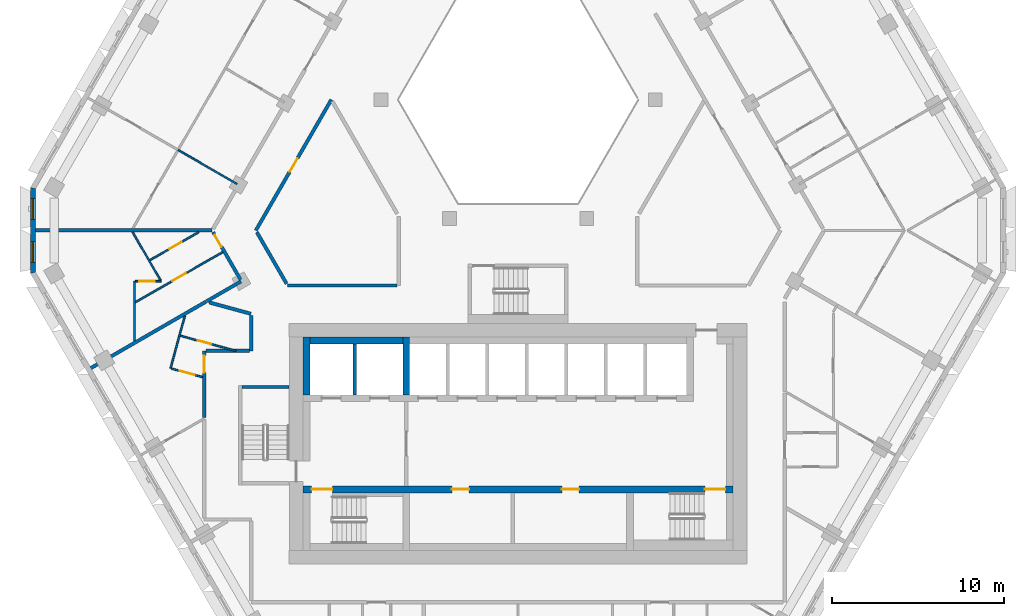
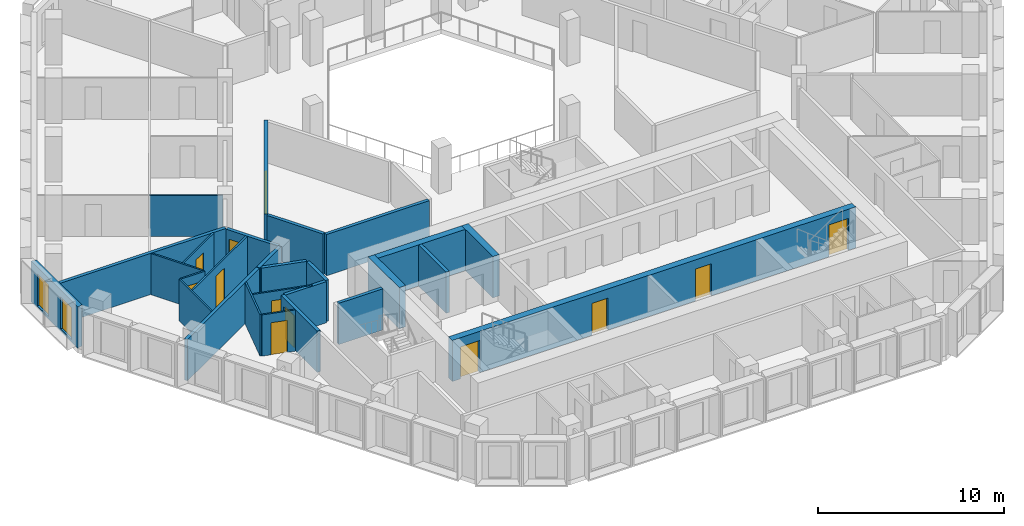
# One storey, part 4 of 17: 27 walls, 12 doors, 2 windows, 14 openings.
"""IFC4 building model written with IfcOpenShell, lengths in metres."""

import ifcopenshell
import ifcopenshell.guid

model = None  # the IFC model being written
_history = None  # IfcOwnerHistory: only IFC2X3 demands one
_inside = {}  # id of a spatial element -> (the spatial element, [elements in it])
_under = {}  # id of a project, library or spatial element -> (it, [spatial elements below it])
_declared = {}  # id of a project -> (the project, [libraries it declares])
_typed = {}  # id of a type object -> (the type object, [elements of that type])
_made_of = {}  # id of a material, layer set ... -> (it, [elements and type objects made of it])


def new_model(schema):
    """Start an empty IFC model of exactly this schema.

    Asked for "IFC4X3", IfcOpenShell would pick the latest addendum, in which some entities
    have other attributes; the version numbers below select the first issue.
    IFC2X3 requires an IfcOwnerHistory on every rooted entity: one is made here for all.
    """
    global model, _history
    if schema == "IFC4X3":
        model = ifcopenshell.file(schema_version=(4, 3, 0, 0))
    else:
        model = ifcopenshell.file(schema=schema)
    _inside.clear()
    _under.clear()
    _declared.clear()
    _typed.clear()
    _made_of.clear()
    _history = None
    if model.schema == "IFC2X3":
        org = make("IfcOrganization", Name="unknown")
        user = make(
            "IfcPersonAndOrganization",
            ThePerson=make("IfcPerson", FamilyName="unknown"),
            TheOrganization=org,
        )
        app = make(
            "IfcApplication",
            ApplicationDeveloper=org,
            Version="unknown",
            ApplicationFullName="unknown",
            ApplicationIdentifier="unknown",
        )
        _history = make(
            "IfcOwnerHistory",
            OwningUser=user,
            OwningApplication=app,
            ChangeAction="ADDED",
            CreationDate=0,
        )
    return model


def make(cls, **values):
    """One entity of the class cls with the attributes given. An attribute that is None is left unset."""
    return model.create_entity(
        cls, **{name: value for name, value in values.items() if value is not None}
    )


def rooted(cls, **values):
    """An entity with a GlobalId (a new one), such as an element, a storey or a relation."""
    return make(cls, GlobalId=ifcopenshell.guid.new(), OwnerHistory=_history, **values)


def si_unit(unit_type, name, prefix=None):
    """IfcSIUnit, for example si_unit("LENGTHUNIT", "METRE", prefix="MILLI")."""
    return make("IfcSIUnit", UnitType=unit_type, Prefix=prefix, Name=name)


def assignment(units):
    """IfcUnitAssignment: the units of a project."""
    return None if units is None else make("IfcUnitAssignment", Units=units)


def point(xyz):
    """IfcCartesianPoint."""
    return None if xyz is None else make("IfcCartesianPoint", Coordinates=xyz)


def direction(xyz):
    """IfcDirection."""
    return None if xyz is None else make("IfcDirection", DirectionRatios=xyz)


def frame(location, z_axis=None, x_axis=None):
    """IfcAxis2Placement3D, a coordinate frame: its origin and axes. An axis left out is left unset."""
    return make(
        "IfcAxis2Placement3D",
        Location=point(location),
        Axis=direction(z_axis),
        RefDirection=direction(x_axis),
    )


def frame_2d(location, x_axis=None):
    """IfcAxis2Placement2D, a coordinate frame in the plane: its origin and x axis."""
    return make(
        "IfcAxis2Placement2D", Location=point(location), RefDirection=direction(x_axis)
    )


def origin():
    """The frame at (0, 0, 0) with its axes left unset."""
    return frame((0.0, 0.0, 0.0))


def place(relative_to, where):
    """IfcLocalPlacement: puts the frame where relative to a parent placement (None: the world)."""
    return make(
        "IfcLocalPlacement", PlacementRelTo=relative_to, RelativePlacement=where
    )


def context(
    kind, dimensions, precision=None, world=None, true_north=None, identifier=None
):
    """IfcGeometricRepresentationContext, for example the 3D "Model" context."""
    return make(
        "IfcGeometricRepresentationContext",
        ContextIdentifier=identifier,
        ContextType=kind,
        CoordinateSpaceDimension=dimensions,
        Precision=precision,
        WorldCoordinateSystem=world,
        TrueNorth=true_north,
    )


def subcontext(parent, identifier, kind, view, scale=None):
    """IfcGeometricRepresentationSubContext, for example "Body" below "Model"."""
    return make(
        "IfcGeometricRepresentationSubContext",
        ContextIdentifier=identifier,
        ContextType=kind,
        ParentContext=parent,
        TargetScale=scale,
        TargetView=view,
    )


def project(units=None, contexts=None):
    """IfcProject with its units and contexts."""
    return rooted(
        "IfcProject",
        Name="project",
        RepresentationContexts=contexts,
        UnitsInContext=assignment(units),
    )


def spatial(cls, under=None, at=None, **own):
    """A site, building, storey or space (cls), placed at a placement, below another one or the project."""
    s = rooted(cls, ObjectPlacement=at, **own)
    if under is not None:
        _under.setdefault(under.id(), (under, []))[1].append(s)
    return s


def polyline(points):
    """IfcPolyline through the points."""
    return make("IfcPolyline", Points=[point(p) for p in points])


def profile(cls, at=None, kind="AREA", **sizes):
    """A parametric profile (cls). Its sizes go by their IFC names, for example OverallWidth=200.0."""
    return make(cls, ProfileType=kind, Position=at, **sizes)


def rectangle(**sizes):
    """IfcRectangleProfileDef."""
    return profile("IfcRectangleProfileDef", **sizes)


def outline(outer, holes=None, kind="AREA"):
    """IfcArbitraryClosedProfileDef: a profile drawn as a closed curve; with holes, ...WithVoids."""
    if holes is None:
        return make("IfcArbitraryClosedProfileDef", ProfileType=kind, OuterCurve=outer)
    return make(
        "IfcArbitraryProfileDefWithVoids",
        ProfileType=kind,
        OuterCurve=outer,
        InnerCurves=holes,
    )


def extrude(swept, where, along, depth):
    """IfcExtrudedAreaSolid: the profile swept, set in the frame where, extruded along a direction by depth."""
    return make(
        "IfcExtrudedAreaSolid",
        SweptArea=swept,
        Position=where,
        ExtrudedDirection=direction(along),
        Depth=depth,
    )


def shape(context_of_items, identifier, shape_type, items):
    """IfcShapeRepresentation: the items that make up one representation, for example the "Body"."""
    return make(
        "IfcShapeRepresentation",
        ContextOfItems=context_of_items,
        RepresentationIdentifier=identifier,
        RepresentationType=shape_type,
        Items=items,
    )


def material(Name=None, Category=None):
    """IfcMaterial."""
    return make("IfcMaterial", Name=Name, Category=Category)


def layer(
    of_material, thickness, ventilated=None, Name=None, Category=None, Priority=None
):
    """IfcMaterialLayer: one layer of a wall or slab, of a material (None: an air gap)."""
    return make(
        "IfcMaterialLayer",
        Material=of_material,
        LayerThickness=thickness,
        IsVentilated=ventilated,
        Name=Name,
        Category=Category,
        Priority=Priority,
    )


def layer_set(layers, Name=None):
    """IfcMaterialLayerSet."""
    return make("IfcMaterialLayerSet", MaterialLayers=layers, LayerSetName=Name)


def made_of(thing, what):
    """Note that an element or type object is made of a material, layer set ...; save() writes the relation."""
    if what is not None:
        _made_of.setdefault(what.id(), (what, []))[1].append(thing)
    return thing


def type_object(cls, material=None, **own):
    """A type object (cls), such as IfcWallType, which elements share."""
    return made_of(rooted(cls, **own), material)


def element(
    cls,
    number,
    at=None,
    inside=None,
    cuts=None,
    type_object=None,
    material=None,
    context=None,
    identifier="Body",
    shape_type=None,
    held_by="IfcProductDefinitionShape",
    body=None,
    shapes=None,
    **own,
):
    """One element of the class cls, such as IfcWall. Its Tag is "e" and its number.

    at: its placement. inside: the storey or other place that contains it. cuts: it is an
    opening in that element (IfcRelVoidsElement). A single representation is given by context,
    identifier, shape_type and body (its items); several are given by shapes. held_by: the class
    of the entity that holds the representations. save() writes the other relations.
    """
    e = rooted(cls, Tag="e%d" % number, ObjectPlacement=at, **own)
    if body is not None:
        shapes = [shape(context, identifier, shape_type, body)]
    if shapes is not None:
        e.Representation = make(held_by, Representations=shapes)
    if inside is not None:
        _inside.setdefault(inside.id(), (inside, []))[1].append(e)
    if cuts is not None:
        rooted(
            "IfcRelVoidsElement", RelatingBuildingElement=cuts, RelatedOpeningElement=e
        )
    if type_object is not None:
        _typed.setdefault(type_object.id(), (type_object, []))[1].append(e)
    return made_of(e, material)


def fill(opening, filler):
    """IfcRelFillsElement: the door or window that sits in an opening."""
    return rooted(
        "IfcRelFillsElement",
        RelatingOpeningElement=opening,
        RelatedBuildingElement=filler,
    )


def aggregate(whole, parts):
    """IfcRelAggregates: a whole, such as a stair, and the parts it consists of."""
    return rooted("IfcRelAggregates", RelatingObject=whole, RelatedObjects=parts)


def save(model, path):
    """Write the relations noted so far, then the file.

    IfcRelAggregates (storeys below a building ...), IfcRelContainedInSpatialStructure (elements
    in a storey), IfcRelDefinesByType, IfcRelAssociatesMaterial and IfcRelDeclares: one each for
    every whole, place, type object, material and project.
    """
    for whole, parts in _under.values():
        aggregate(whole, parts)
    for where, things in _inside.values():
        rooted(
            "IfcRelContainedInSpatialStructure",
            RelatedElements=things,
            RelatingStructure=where,
        )
    for kind, things in _typed.values():
        rooted("IfcRelDefinesByType", RelatedObjects=things, RelatingType=kind)
    for what, things in _made_of.values():
        rooted("IfcRelAssociatesMaterial", RelatedObjects=things, RelatingMaterial=what)
    for by, libraries in _declared.values():
        rooted("IfcRelDeclares", RelatingContext=by, RelatedDefinitions=libraries)
    model.write(path)


model = new_model("IFC4")

# Units and contexts
model_context = context("Model", 3, precision=1e-05, world=origin(), true_north=direction((0.0, 1.0)))
body_context = subcontext(model_context, "Body", "Model", "MODEL_VIEW")
ifc_project = project(units=[si_unit("LENGTHUNIT", "METRE"), si_unit("AREAUNIT", "SQUARE_METRE"), si_unit("VOLUMEUNIT", "CUBIC_METRE"), si_unit("PLANEANGLEUNIT", "RADIAN"), si_unit("MASSUNIT", "GRAM", prefix="KILO")], contexts=[model_context])

# Site, building, storey
site_placement = place(None, origin())
site = spatial("IfcSite", under=ifc_project, at=site_placement, CompositionType="ELEMENT")
building_placement = place(site_placement, origin())
building = spatial("IfcBuilding", under=site, at=building_placement, Name="Beryl Residences", CompositionType="ELEMENT")
storey_placement = place(building_placement, frame((0.0, 0.0, 144.60009765625)))
storey = spatial("IfcBuildingStorey", under=building, at=storey_placement, Name="L44", CompositionType="ELEMENT", Elevation=144.60009765625)

# Wall, openings, windows
ifc_material_1 = material(Name="Composite metal panel with mineral wool insulation")
ifc_layer_1 = layer(ifc_material_1, 0.300048828125)
ifc_layer_set_1 = layer_set([ifc_layer_1], Name="ES1 pale metal composite panel wall 300 mm")
wall_type_1 = type_object("IfcWallType", Name="ES1 pale metal composite panel wall 300 mm", PredefinedType="SOLIDWALL", material=ifc_layer_set_1)
wall_1_placement = place(storey_placement, frame((-28.197998046875, 2.89990234375, 0.0), z_axis=(0.0, 0.0, 1.0), x_axis=(0.0, -1.0, 0.0)))
wall_1 = element("IfcWall", 1, at=wall_1_placement, inside=storey, type_object=wall_type_1, Name="ES1 external wall L44 NW-SW", PredefinedType="SOLIDWALL", context=body_context, shape_type="SweptSolid", body=[
    extrude(outline(polyline([(0.0, -0.14990234375), (5.0, -0.14990234375), (4.919677734375, 0.14990234375), (0.080322265625, 0.14990234375), (0.0, -0.14990234375)])), origin(), (0.0, 0.0, 1.0), 2.699951171875),
])
opening_1_placement = place(wall_1_placement, frame((0.64990234375, 0.0, 0.14990234375)))
opening_1 = element("IfcOpeningElement", 2, at=opening_1_placement, cuts=wall_1, Name="Opening W2", PredefinedType="OPENING", context=body_context, shape_type="SweptSolid", body=[
    extrude(rectangle(XDim=1.199951171875, YDim=2.10009765625, at=frame_2d((0.60009765625, 1.050048828125))), frame((0.0, 0.159912109375, 0.0), z_axis=(0.0, -1.0, 0.0), x_axis=(1.0, 0.0, 0.0)), (0.0, 0.0, 1.0), 0.320068359375),
])
opening_2_placement = place(wall_1_placement, frame((3.14990234375, 0.0, 0.14990234375)))
opening_2 = element("IfcOpeningElement", 3, at=opening_2_placement, cuts=wall_1, Name="Opening W2", PredefinedType="OPENING", context=body_context, shape_type="SweptSolid", body=[
    extrude(rectangle(XDim=1.199951171875, YDim=2.10009765625, at=frame_2d((0.60009765625, 1.050048828125))), frame((0.0, 0.159912109375, 0.0), z_axis=(0.0, -1.0, 0.0), x_axis=(1.0, 0.0, 0.0)), (0.0, 0.0, 1.0), 0.320068359375),
])
ifc_material_2 = material(Name="Aluminium and clear glass", Category="aluminium")
window_type = type_object("IfcWindowType", Name="W2 chamfer window 1200 x 2100 mm", PartitioningType="SINGLE_PANEL", PredefinedType="WINDOW", material=ifc_material_2)
window_1_placement = place(opening_1_placement, origin())
window_1 = element("IfcWindow", 4, at=window_1_placement, inside=storey, type_object=window_type, Name="W2 window L44 NW-SW 1", OverallHeight=2.10009765625, OverallWidth=1.199951171875, PartitioningType="SINGLE_PANEL", PredefinedType="WINDOW", context=body_context, shape_type="SweptSolid", body=[
    extrude(rectangle(XDim=1.199951171875, YDim=2.10009765625, at=frame_2d((0.60009765625, 1.050048828125))), frame((0.0, 0.030029296875, 0.0), z_axis=(0.0, -1.0, 0.0), x_axis=(1.0, 0.0, 0.0)), (0.0, 0.0, 1.0), 0.06005859375),
])
fill(opening_1, window_1)
window_2_placement = place(opening_2_placement, origin())
window_2 = element("IfcWindow", 5, at=window_2_placement, inside=storey, type_object=window_type, Name="W2 window L44 NW-SW 2", OverallHeight=2.10009765625, OverallWidth=1.199951171875, PartitioningType="SINGLE_PANEL", PredefinedType="WINDOW", context=body_context, shape_type="SweptSolid", body=[
    extrude(rectangle(XDim=1.199951171875, YDim=2.10009765625, at=frame_2d((0.60009765625, 1.050048828125))), frame((0.0, 0.030029296875, 0.0), z_axis=(0.0, -1.0, 0.0), x_axis=(1.0, 0.0, 0.0)), (0.0, 0.0, 1.0), 0.06005859375),
])
fill(opening_2, window_2)

# Wall
ifc_material_3 = material(Name="Gypsum board partition on steel studs", Category="steel")
ifc_layer_2 = layer(ifc_material_3, 0.10009765625)
ifc_layer_set_2 = layer_set([ifc_layer_2], Name="PT1 partition 100 mm gypsum board on steel studs")
wall_type_2 = type_object("IfcWallType", Name="PT1 partition 100 mm gypsum board on steel studs", PredefinedType="PARTITIONING", material=ifc_layer_set_2)
wall_2_placement = place(storey_placement, frame((-22.39794921875, 0.299072265625, 0.0), z_axis=(0.0, 0.0, 1.0), x_axis=(0.50004249738, -0.86600086652, 0.0)))
element("IfcWall", 6, at=wall_2_placement, inside=storey, type_object=wall_type_2, Name="Wall PT1 L44 001", PredefinedType="PARTITIONING", context=body_context, shape_type="SweptSolid", body=[
    extrude(rectangle(XDim=3.235595703125, YDim=0.10009765625, at=frame_2d((1.61767578125, 0.0))), origin(), (0.0, 0.0, 1.0), 2.699951171875),
])

# Wall, opening, door
wall_3_placement = place(storey_placement, frame((-19.631103515625, -5.720947265625, 0.0), z_axis=(0.0, 0.0, 1.0), x_axis=(0.964816035809, -0.262925877475, 0.0)))
wall_3 = element("IfcWall", 7, at=wall_3_placement, inside=storey, type_object=wall_type_2, Name="Wall PT1 L44 011", PredefinedType="PARTITIONING", context=body_context, shape_type="SweptSolid", body=[
    extrude(rectangle(XDim=3.34375, YDim=0.10009765625, at=frame_2d((1.671875, 0.0))), origin(), (0.0, 0.0, 1.0), 2.699951171875),
])
opening_3_placement = place(wall_3_placement, frame((1.047119140625, 0.0, 0.0)))
opening_3 = element("IfcOpeningElement", 8, at=opening_3_placement, cuts=wall_3, Name="Opening D1102", PredefinedType="OPENING", context=body_context, shape_type="SweptSolid", body=[
    extrude(rectangle(XDim=0.800048828125, YDim=2.10009765625, at=frame_2d((0.39990234375, 1.050048828125))), frame((0.0, 0.06005859375, 0.0), z_axis=(0.0, -1.0, 0.0), x_axis=(1.0, 0.0, 0.0)), (0.0, 0.0, 1.0), 0.1201171875),
])
ifc_material_4 = material(Name="Timber door leaf", Category="wood")
door_type_1 = type_object("IfcDoorType", Name="D3 bathroom door 800 x 2100 mm", OperationType="SINGLE_SWING_LEFT", PredefinedType="DOOR", material=ifc_material_4)
door_1_placement = place(opening_3_placement, origin())
door_1 = element("IfcDoor", 9, at=door_1_placement, inside=storey, type_object=door_type_1, Name="Door D1102 L44 001", OperationType="SINGLE_SWING_RIGHT", OverallHeight=2.10009765625, OverallWidth=0.800048828125, PredefinedType="DOOR", context=body_context, shape_type="SweptSolid", body=[
    extrude(rectangle(XDim=0.800048828125, YDim=2.10009765625, at=frame_2d((0.39990234375, 1.050048828125))), frame((0.0, 0.02490234375, 0.0), z_axis=(0.0, -1.0, 0.0), x_axis=(1.0, 0.0, 0.0)), (0.0, 0.0, 1.0), 0.050048828125),
])
fill(opening_3, door_1)

wall_4_placement = place(storey_placement, frame((-20.15087890625, -7.631103515625, 0.0), z_axis=(0.0, 0.0, 1.0), x_axis=(0.964784947449, -0.263039930765, 0.0)))
wall_4 = element("IfcWall", 10, at=wall_4_placement, inside=storey, type_object=wall_type_2, Name="Wall PT1 L44 012", PredefinedType="PARTITIONING", context=body_context, shape_type="SweptSolid", body=[
    extrude(rectangle(XDim=1.866455078125, YDim=0.10009765625, at=frame_2d((0.93310546875, 0.0))), origin(), (0.0, 0.0, 1.0), 2.699951171875),
])
opening_4_placement = place(wall_4_placement, frame((0.510009765625, 0.0, 0.0)))
opening_4 = element("IfcOpeningElement", 11, at=opening_4_placement, cuts=wall_4, Name="Opening D1103", PredefinedType="OPENING", context=body_context, shape_type="SweptSolid", body=[
    extrude(rectangle(XDim=0.89990234375, YDim=2.10009765625, at=frame_2d((0.449951171875, 1.050048828125))), frame((0.0, 0.06005859375, 0.0), z_axis=(0.0, -1.0, 0.0), x_axis=(1.0, 0.0, 0.0)), (0.0, 0.0, 1.0), 0.1201171875),
])
ifc_material_5 = material(Name="Timber door leaf", Category="wood")
door_type_2 = type_object("IfcDoorType", Name="D2 room door 900 x 2100 mm", OperationType="SINGLE_SWING_LEFT", PredefinedType="DOOR", material=ifc_material_5)
door_2_placement = place(opening_4_placement, origin())
door_2 = element("IfcDoor", 12, at=door_2_placement, inside=storey, type_object=door_type_2, Name="Door D1103 L44 001", OperationType="SINGLE_SWING_LEFT", OverallHeight=2.10009765625, OverallWidth=0.89990234375, PredefinedType="DOOR", context=body_context, shape_type="SweptSolid", body=[
    extrude(rectangle(XDim=0.89990234375, YDim=2.10009765625, at=frame_2d((0.449951171875, 1.050048828125))), frame((0.0, 0.02490234375, 0.0), z_axis=(0.0, -1.0, 0.0), x_axis=(1.0, 0.0, 0.0)), (0.0, 0.0, 1.0), 0.050048828125),
])
fill(opening_4, door_2)

wall_5_placement = place(storey_placement, frame((-22.2470703125, -2.552978515625, 0.0), z_axis=(0.0, 0.0, 1.0), x_axis=(1.0, 0.0, 0.0)))
wall_5 = element("IfcWall", 13, at=wall_5_placement, inside=storey, type_object=wall_type_2, Name="Wall PT1 L44 023", PredefinedType="PARTITIONING", context=body_context, shape_type="SweptSolid", body=[
    extrude(rectangle(XDim=1.49609375, YDim=0.10009765625, at=frame_2d((0.748046875, 0.0))), origin(), (0.0, 0.0, 1.0), 2.699951171875),
])
opening_5_placement = place(wall_5_placement, frame((0.222900390625, 0.0, 0.0)))
opening_5 = element("IfcOpeningElement", 14, at=opening_5_placement, cuts=wall_5, Name="Opening D1153", PredefinedType="OPENING", context=body_context, shape_type="SweptSolid", body=[
    extrude(rectangle(XDim=0.89990234375, YDim=2.10009765625, at=frame_2d((0.449951171875, 1.050048828125))), frame((0.0, 0.06005859375, 0.0), z_axis=(0.0, -1.0, 0.0), x_axis=(1.0, 0.0, 0.0)), (0.0, 0.0, 1.0), 0.1201171875),
])
door_3_placement = place(opening_5_placement, origin())
door_3 = element("IfcDoor", 15, at=door_3_placement, inside=storey, type_object=door_type_2, Name="Door D1153 L44 001", OperationType="SINGLE_SWING_LEFT", OverallHeight=2.10009765625, OverallWidth=0.89990234375, PredefinedType="DOOR", context=body_context, shape_type="SweptSolid", body=[
    extrude(rectangle(XDim=0.89990234375, YDim=2.10009765625, at=frame_2d((0.449951171875, 1.050048828125))), frame((0.0, 0.02490234375, 0.0), z_axis=(0.0, -1.0, 0.0), x_axis=(1.0, 0.0, 0.0)), (0.0, 0.0, 1.0), 0.050048828125),
])
fill(opening_5, door_3)

# Walls
wall_6_placement = place(storey_placement, frame((-20.199951171875, -7.616943359375, 0.0), z_axis=(0.0, 0.0, 1.0), x_axis=(0.263150035392, 0.964754921663, 0.0)))
element("IfcWall", 16, at=wall_6_placement, inside=storey, type_object=wall_type_2, Name="Wall PT1 L44 035", PredefinedType="PARTITIONING", context=body_context, shape_type="SweptSolid", body=[
    extrude(rectangle(XDim=3.16552734375, YDim=0.10009765625, at=frame_2d((1.582763671875, 0.0))), origin(), (0.0, 0.0, 1.0), 2.699951171875),
])
wall_7_placement = place(storey_placement, frame((-22.297119140625, -6.02294921875, 0.0), z_axis=(0.0, 0.0, 1.0), x_axis=(0.0, 1.0, 0.0)))
element("IfcWall", 17, at=wall_7_placement, inside=storey, type_object=wall_type_2, Name="Wall PT1 L44 049", PredefinedType="PARTITIONING", context=body_context, shape_type="SweptSolid", body=[
    extrude(rectangle(XDim=3.469970703125, YDim=0.10009765625, at=frame_2d((1.73486328125, 0.0))), origin(), (0.0, 0.0, 1.0), 2.699951171875),
])

# Wall, opening, door
wall_8_placement = place(storey_placement, frame((-22.2470703125, -3.77587890625, 0.0), z_axis=(0.0, 0.0, 1.0), x_axis=(0.867243093247, 0.497884943752, 0.0)))
wall_8 = element("IfcWall", 18, at=wall_8_placement, inside=storey, type_object=wall_type_2, Name="Wall PT1 L44 054", PredefinedType="PARTITIONING", context=body_context, shape_type="SweptSolid", body=[
    extrude(rectangle(XDim=5.854248046875, YDim=0.10009765625, at=frame_2d((2.92724609375, 0.0))), origin(), (0.0, 0.0, 1.0), 2.699951171875),
])
opening_6_placement = place(wall_8_placement, frame((2.498046875, 0.0, 0.0)))
opening_6 = element("IfcOpeningElement", 19, at=opening_6_placement, cuts=wall_8, Name="Opening D1151", PredefinedType="OPENING", context=body_context, shape_type="SweptSolid", body=[
    extrude(rectangle(XDim=0.89990234375, YDim=2.10009765625, at=frame_2d((0.449951171875, 1.050048828125))), frame((0.0, 0.06005859375, 0.0), z_axis=(0.0, -1.0, 0.0), x_axis=(1.0, 0.0, 0.0)), (0.0, 0.0, 1.0), 0.1201171875),
])
door_4_placement = place(opening_6_placement, origin())
door_4 = element("IfcDoor", 20, at=door_4_placement, inside=storey, type_object=door_type_2, Name="Door D1151 L44 001", OperationType="SINGLE_SWING_LEFT", OverallHeight=2.10009765625, OverallWidth=0.89990234375, PredefinedType="DOOR", context=body_context, shape_type="SweptSolid", body=[
    extrude(rectangle(XDim=0.89990234375, YDim=2.10009765625, at=frame_2d((0.449951171875, 1.050048828125))), frame((0.0, 0.02490234375, 0.0), z_axis=(0.0, -1.0, 0.0), x_axis=(1.0, 0.0, 0.0)), (0.0, 0.0, 1.0), 0.050048828125),
])
fill(opening_6, door_4)

wall_9_placement = place(storey_placement, frame((-21.39990234375, -1.3291015625, 0.0), z_axis=(0.0, 0.0, 1.0), x_axis=(0.867235187435, 0.497898714274, 0.0)))
wall_9 = element("IfcWall", 21, at=wall_9_placement, inside=storey, type_object=wall_type_2, Name="Wall PT1 L44 055", PredefinedType="PARTITIONING", context=body_context, shape_type="SweptSolid", body=[
    extrude(rectangle(XDim=3.27001953125, YDim=0.10009765625, at=frame_2d((1.635009765625, 0.0))), origin(), (0.0, 0.0, 1.0), 2.699951171875),
])
opening_7_placement = place(wall_9_placement, frame((1.31005859375, 0.0, 0.0)))
opening_7 = element("IfcOpeningElement", 22, at=opening_7_placement, cuts=wall_9, Name="Opening D1152", PredefinedType="OPENING", context=body_context, shape_type="SweptSolid", body=[
    extrude(rectangle(XDim=0.800048828125, YDim=2.10009765625, at=frame_2d((0.39990234375, 1.050048828125))), frame((0.0, 0.06005859375, 0.0), z_axis=(0.0, -1.0, 0.0), x_axis=(1.0, 0.0, 0.0)), (0.0, 0.0, 1.0), 0.1201171875),
])
door_5_placement = place(opening_7_placement, origin())
door_5 = element("IfcDoor", 23, at=door_5_placement, inside=storey, type_object=door_type_1, Name="Door D1152 L44 001", OperationType="SINGLE_SWING_RIGHT", OverallHeight=2.10009765625, OverallWidth=0.800048828125, PredefinedType="DOOR", context=body_context, shape_type="SweptSolid", body=[
    extrude(rectangle(XDim=0.800048828125, YDim=2.10009765625, at=frame_2d((0.39990234375, 1.050048828125))), frame((0.0, 0.02490234375, 0.0), z_axis=(0.0, -1.0, 0.0), x_axis=(1.0, 0.0, 0.0)), (0.0, 0.0, 1.0), 0.050048828125),
])
fill(opening_7, door_5)

# Walls
wall_10_placement = place(storey_placement, frame((-19.757080078125, 5.072998046875, 0.0), z_axis=(0.0, 0.0, 1.0), x_axis=(0.866076396086, -0.499911668341, 0.0)))
element("IfcWall", 24, at=wall_10_placement, inside=storey, type_object=wall_type_2, Name="Wall PT1 L44 060", PredefinedType="PARTITIONING", context=body_context, shape_type="SweptSolid", body=[
    extrude(rectangle(XDim=3.946533203125, YDim=0.10009765625, at=frame_2d((1.97314453125, 0.0))), origin(), (0.0, 0.0, 1.0), 2.699951171875),
])
ifc_material_6 = material(Name="Acoustic double stud gypsum board wall")
ifc_layer_3 = layer(ifc_material_6, 0.199951171875)
ifc_layer_set_3 = layer_set([ifc_layer_3], Name="PT3 party wall 200 mm acoustic double stud")
wall_type_3 = type_object("IfcWallType", Name="PT3 party wall 200 mm acoustic double stud", PredefinedType="PARTITIONING", material=ifc_layer_set_3)
wall_11_placement = place(storey_placement, frame((-17.9560546875, -3.782958984375, 0.0), z_axis=(0.0, 0.0, 1.0), x_axis=(0.964815336827, -0.2629284424, 0.0)))
element("IfcWall", 25, at=wall_11_placement, inside=storey, type_object=wall_type_3, Name="Wall PT3 L44 004", PredefinedType="PARTITIONING", context=body_context, shape_type="SweptSolid", body=[
    extrude(rectangle(XDim=2.514404296875, YDim=0.199951171875, at=frame_2d((1.25732421875, 0.0))), origin(), (0.0, 0.0, 1.0), 2.699951171875),
])
wall_12_placement = place(storey_placement, frame((-28.048095703125, 0.39892578125, 0.0), z_axis=(0.0, 0.0, 1.0), x_axis=(1.0, 0.0, 0.0)))
element("IfcWall", 26, at=wall_12_placement, inside=storey, type_object=wall_type_3, Name="Wall PT3 L44 007", PredefinedType="PARTITIONING", context=body_context, shape_type="SweptSolid", body=[
    extrude(rectangle(XDim=10.26611328125, YDim=0.199951171875, at=frame_2d((5.133056640625, 0.0))), origin(), (0.0, 0.0, 1.0), 2.699951171875),
])
wall_13_placement = place(storey_placement, frame((-24.825927734375, -7.59912109375, 0.0), z_axis=(0.0, 0.0, 1.0), x_axis=(0.866031973572, 0.499988620622, 0.0)))
element("IfcWall", 27, at=wall_13_placement, inside=storey, type_object=wall_type_3, Name="Wall PT3 L44 013", PredefinedType="PARTITIONING", context=body_context, shape_type="SweptSolid", body=[
    extrude(rectangle(XDim=7.728271484375, YDim=0.199951171875, at=frame_2d((3.8642578125, 0.0))), origin(), (0.0, 0.0, 1.0), 2.699951171875),
])
wall_14_placement = place(storey_placement, frame((-18.095947265625, -3.714111328125, 0.0), z_axis=(0.0, 0.0, 1.0), x_axis=(0.865794513859, 0.500399700011, 0.0)))
element("IfcWall", 28, at=wall_14_placement, inside=storey, type_object=wall_type_3, Name="Wall PT3 L44 014", PredefinedType="PARTITIONING", context=body_context, shape_type="SweptSolid", body=[
    extrude(rectangle(XDim=2.29833984375, YDim=0.199951171875, at=frame_2d((1.149169921875, 0.0))), origin(), (0.0, 0.0, 1.0), 2.699951171875),
])
ifc_material_7 = material(Name="Double stud gypsum board wall")
ifc_layer_4 = layer(ifc_material_7, 0.199951171875)
ifc_layer_set_4 = layer_set([ifc_layer_4], Name="PT4 corridor wall 200 mm double stud")
wall_type_4 = type_object("IfcWallType", Name="PT4 corridor wall 200 mm double stud", PredefinedType="PARTITIONING", material=ifc_layer_set_4)
wall_15_placement = place(storey_placement, frame((-15.18408203125, 0.299072265625, 0.0), z_axis=(0.0, 0.0, 1.0), x_axis=(0.500149577091, -0.865939028186, 0.0)))
element("IfcWall", 29, at=wall_15_placement, inside=storey, type_object=wall_type_4, Name="Wall PT4 L44 002", PredefinedType="PARTITIONING", context=body_context, shape_type="SweptSolid", body=[
    extrude(rectangle(XDim=3.46337890625, YDim=0.199951171875, at=frame_2d((1.731689453125, 0.0))), origin(), (0.0, 0.0, 1.0), 2.699951171875),
])

# Wall, opening, door
wall_16_placement = place(storey_placement, frame((-17.72412109375, 0.299072265625, 0.0), z_axis=(0.0, 0.0, 1.0), x_axis=(0.499910220442, -0.866077231832, 0.0)))
wall_16 = element("IfcWall", 30, at=wall_16_placement, inside=storey, type_object=wall_type_4, Name="Wall PT4 L44 003", PredefinedType="PARTITIONING", context=body_context, shape_type="SweptSolid", body=[
    extrude(rectangle(XDim=3.18896484375, YDim=0.199951171875, at=frame_2d((1.594482421875, 0.0))), origin(), (0.0, 0.0, 1.0), 2.699951171875),
])
opening_8_placement = place(wall_16_placement, frame((0.18310546875, 0.0, 0.0)))
opening_8 = element("IfcOpeningElement", 31, at=opening_8_placement, cuts=wall_16, Name="Opening D1150", PredefinedType="OPENING", context=body_context, shape_type="SweptSolid", body=[
    extrude(rectangle(XDim=0.800048828125, YDim=2.10009765625, at=frame_2d((0.39990234375, 1.050048828125))), frame((0.0, 0.10986328125, 0.0), z_axis=(0.0, -1.0, 0.0), x_axis=(1.0, 0.0, 0.0)), (0.0, 0.0, 1.0), 0.219970703125),
])
ifc_material_8 = material(Name="Timber door leaf", Category="wood")
door_type_3 = type_object("IfcDoorType", Name="D12 flat entrance door 800 x 2100 mm", OperationType="SINGLE_SWING_LEFT", PredefinedType="DOOR", material=ifc_material_8)
door_6_placement = place(opening_8_placement, origin())
door_6 = element("IfcDoor", 32, at=door_6_placement, inside=storey, type_object=door_type_3, Name="Door D1150 L44 001", OperationType="SINGLE_SWING_RIGHT", OverallHeight=2.10009765625, OverallWidth=0.800048828125, PredefinedType="DOOR", context=body_context, shape_type="SweptSolid", body=[
    extrude(rectangle(XDim=0.800048828125, YDim=2.10009765625, at=frame_2d((0.39990234375, 1.050048828125))), frame((0.0, 0.02490234375, 0.0), z_axis=(0.0, -1.0, 0.0), x_axis=(1.0, 0.0, 0.0)), (0.0, 0.0, 1.0), 0.050048828125),
])
fill(opening_8, door_6)

# Walls
wall_17_placement = place(storey_placement, frame((-18.14990234375, -6.60009765625, 0.0), z_axis=(0.0, 0.0, 1.0), x_axis=(1.0, 0.0, 0.0)))
element("IfcWall", 33, at=wall_17_placement, inside=storey, type_object=wall_type_4, Name="Wall PT4 L44 010", PredefinedType="PARTITIONING", context=body_context, shape_type="SweptSolid", body=[
    extrude(rectangle(XDim=2.5498046875, YDim=0.199951171875, at=frame_2d((1.27490234375, 0.0))), origin(), (0.0, 0.0, 1.0), 2.699951171875),
])
wall_18_placement = place(storey_placement, frame((-13.39501953125, -2.800048828125, 0.0), z_axis=(0.0, 0.0, 1.0), x_axis=(1.0, 0.0, 0.0)))
element("IfcWall", 34, at=wall_18_placement, inside=storey, type_object=wall_type_4, Name="Wall PT4 L44 013", PredefinedType="PARTITIONING", context=body_context, shape_type="SweptSolid", body=[
    extrude(rectangle(XDim=6.366943359375, YDim=0.199951171875, at=frame_2d((3.18359375, 0.0))), origin(), (0.0, 0.0, 1.0), 2.699951171875),
])

# Wall, opening, door
wall_19_placement = place(storey_placement, frame((-15.241943359375, 0.39892578125, 0.0), z_axis=(0.0, 0.0, 1.0), x_axis=(0.499953615651, 0.866052182145, 0.0)))
wall_19 = element("IfcWall", 35, at=wall_19_placement, inside=storey, type_object=wall_type_4, Name="Wall PT4 L44 021", PredefinedType="PARTITIONING", context=body_context, shape_type="SweptSolid", body=[
    extrude(rectangle(XDim=8.776611328125, YDim=0.199951171875, at=frame_2d((4.38818359375, 0.0))), origin(), (0.0, 0.0, 1.0), 2.699951171875),
])
opening_9_placement = place(wall_19_placement, frame((3.93798828125, 0.0, 0.0)))
opening_9 = element("IfcOpeningElement", 36, at=opening_9_placement, cuts=wall_19, Name="Opening D1154", PredefinedType="OPENING", context=body_context, shape_type="SweptSolid", body=[
    extrude(rectangle(XDim=0.89990234375, YDim=2.10009765625, at=frame_2d((0.449951171875, 1.050048828125))), frame((0.0, 0.10986328125, 0.0), z_axis=(0.0, -1.0, 0.0), x_axis=(1.0, 0.0, 0.0)), (0.0, 0.0, 1.0), 0.219970703125),
])
door_7_placement = place(opening_9_placement, origin())
door_7 = element("IfcDoor", 37, at=door_7_placement, inside=storey, type_object=door_type_2, Name="Door D1154 L44 001", OperationType="SINGLE_SWING_RIGHT", OverallHeight=2.10009765625, OverallWidth=0.89990234375, PredefinedType="DOOR", context=body_context, shape_type="SweptSolid", body=[
    extrude(rectangle(XDim=0.89990234375, YDim=2.10009765625, at=frame_2d((0.449951171875, 1.050048828125))), frame((0.0, 0.02490234375, 0.0), z_axis=(0.0, -1.0, 0.0), x_axis=(1.0, 0.0, 0.0)), (0.0, 0.0, 1.0), 0.050048828125),
])
fill(opening_9, door_7)

# Wall
wall_20_placement = place(storey_placement, frame((-15.5, -6.60009765625, 0.0), z_axis=(0.0, 0.0, 1.0), x_axis=(0.0, 1.0, 0.0)))
element("IfcWall", 38, at=wall_20_placement, inside=storey, type_object=wall_type_4, Name="Wall PT4 L44 027", PredefinedType="PARTITIONING", context=body_context, shape_type="SweptSolid", body=[
    extrude(rectangle(XDim=2.044189453125, YDim=0.199951171875, at=frame_2d((1.02197265625, 0.0))), origin(), (0.0, 0.0, 1.0), 2.699951171875),
])

# Wall, opening, door
wall_21_placement = place(storey_placement, frame((-18.25, -10.47802734375, 0.0), z_axis=(0.0, 0.0, 1.0), x_axis=(0.0, 1.0, 0.0)))
wall_21 = element("IfcWall", 39, at=wall_21_placement, inside=storey, type_object=wall_type_4, Name="Wall PT4 L44 028", PredefinedType="PARTITIONING", context=body_context, shape_type="SweptSolid", body=[
    extrude(rectangle(XDim=3.8779296875, YDim=0.199951171875, at=frame_2d((1.93896484375, 0.0))), origin(), (0.0, 0.0, 1.0), 2.699951171875),
])
opening_10_placement = place(wall_21_placement, frame((2.60791015625, 0.0, 0.0)))
opening_10 = element("IfcOpeningElement", 40, at=opening_10_placement, cuts=wall_21, Name="Opening D1101", PredefinedType="OPENING", context=body_context, shape_type="SweptSolid", body=[
    extrude(rectangle(XDim=1.0, YDim=2.10009765625, at=frame_2d((0.5, 1.050048828125))), frame((0.0, 0.10986328125, 0.0), z_axis=(0.0, -1.0, 0.0), x_axis=(1.0, 0.0, 0.0)), (0.0, 0.0, 1.0), 0.219970703125),
])
ifc_material_9 = material(Name="Timber door leaf", Category="wood")
door_type_4 = type_object("IfcDoorType", Name="D1 flat entrance door 1000 x 2100 mm", OperationType="SINGLE_SWING_LEFT", PredefinedType="DOOR", material=ifc_material_9)
door_8_placement = place(opening_10_placement, origin())
door_8 = element("IfcDoor", 41, at=door_8_placement, inside=storey, type_object=door_type_4, Name="Door D1101 L44 001", OperationType="SINGLE_SWING_LEFT", OverallHeight=2.10009765625, OverallWidth=1.0, PredefinedType="DOOR", context=body_context, shape_type="SweptSolid", body=[
    extrude(rectangle(XDim=1.0, YDim=2.10009765625, at=frame_2d((0.5, 1.050048828125))), frame((0.0, 0.02490234375, 0.0), z_axis=(0.0, -1.0, 0.0), x_axis=(1.0, 0.0, 0.0)), (0.0, 0.0, 1.0), 0.050048828125),
])
fill(opening_10, door_8)

# Walls
ifc_material_10 = material(Name="Concrete C40/50", Category="concrete")
ifc_layer_5 = layer(ifc_material_10, 0.199951171875)
ifc_layer_set_5 = layer_set([ifc_layer_5], Name="PT5 stair enclosure wall 200 mm reinforced concrete C40/50")
wall_type_5 = type_object("IfcWallType", Name="PT5 stair enclosure wall 200 mm reinforced concrete C40/50", PredefinedType="SOLIDWALL", material=ifc_layer_set_5)
wall_22_placement = place(storey_placement, frame((-16.050048828125, -8.699951171875, 0.0), z_axis=(0.0, 0.0, 1.0), x_axis=(1.0, 0.0, 0.0)))
element("IfcWall", 42, at=wall_22_placement, inside=storey, type_object=wall_type_5, Name="Stair wall 03", PredefinedType="SOLIDWALL", context=body_context, shape_type="SweptSolid", body=[
    extrude(rectangle(XDim=2.75, YDim=0.199951171875, at=frame_2d((1.375, 0.0))), origin(), (0.0, 0.0, 1.0), 2.699951171875),
])
ifc_material_11 = material(Name="Concrete C40/50", Category="concrete")
ifc_layer_6 = layer(ifc_material_11, 0.199951171875)
ifc_layer_set_6 = layer_set([ifc_layer_6], Name="PT6 lift shaft wall 200 mm reinforced concrete C40/50")
wall_type_6 = type_object("IfcWallType", Name="PT6 lift shaft wall 200 mm reinforced concrete C40/50", PredefinedType="SOLIDWALL", material=ifc_layer_set_6)
wall_23_placement = place(storey_placement, frame((-9.5, -9.14990234375, 0.0), z_axis=(0.0, 0.0, 1.0), x_axis=(0.0, 1.0, 0.0)))
element("IfcWall", 43, at=wall_23_placement, inside=storey, type_object=wall_type_6, Name="Lift shaft wall 10", PredefinedType="SOLIDWALL", context=body_context, shape_type="SweptSolid", body=[
    extrude(rectangle(XDim=2.949951171875, YDim=0.199951171875, at=frame_2d((1.47509765625, 0.0))), origin(), (0.0, 0.0, 1.0), 2.699951171875),
])
ifc_material_12 = material(Name="Concrete C40/50", Category="concrete")
ifc_layer_7 = layer(ifc_material_12, 0.39990234375)
ifc_layer_set_7 = layer_set([ifc_layer_7], Name="PT6-400 lift shaft wall 400 mm")
wall_type_7 = type_object("IfcWallType", Name="PT6-400 lift shaft wall 400 mm", PredefinedType="SOLIDWALL", material=ifc_layer_set_7)
wall_24_placement = place(storey_placement, frame((-12.300048828125, -9.14990234375, 0.0), z_axis=(0.0, 0.0, 1.0), x_axis=(0.0, 1.0, 0.0)))
element("IfcWall", 44, at=wall_24_placement, inside=storey, type_object=wall_type_7, Name="Lift shaft wall 06", PredefinedType="SOLIDWALL", context=body_context, shape_type="SweptSolid", body=[
    extrude(rectangle(XDim=3.349853515625, YDim=0.39990234375, at=frame_2d((1.6748046875, 0.0))), origin(), (0.0, 0.0, 1.0), 2.699951171875),
])
wall_25_placement = place(storey_placement, frame((-12.10009765625, -6.0, 0.0), z_axis=(0.0, 0.0, 1.0), x_axis=(1.0, 0.0, 0.0)))
element("IfcWall", 45, at=wall_25_placement, inside=storey, type_object=wall_type_7, Name="Lift shaft wall 08", PredefinedType="SOLIDWALL", context=body_context, shape_type="SweptSolid", body=[
    extrude(rectangle(XDim=5.400146484375, YDim=0.39990234375, at=frame_2d((2.7001953125, 0.0))), origin(), (0.0, 0.0, 1.0), 2.699951171875),
])

# Wall, openings, doors
ifc_material_13 = material(Name="Concrete C60/75", Category="concrete")
ifc_layer_8 = layer(ifc_material_13, 0.39990234375)
ifc_layer_set_8 = layer_set([ifc_layer_8], Name="SW8 core internal wall 400 mm C60/75")
wall_type_8 = type_object("IfcWallType", Name="SW8 core internal wall 400 mm C60/75", PredefinedType="SHEAR", material=ifc_layer_set_8)
wall_26_placement = place(storey_placement, frame((-12.5, -14.64990234375, 0.0), z_axis=(0.0, 0.0, 1.0), x_axis=(1.0, 0.0, 0.0)))
wall_26 = element("IfcWall", 46, at=wall_26_placement, inside=storey, type_object=wall_type_8, Name="Core wall SP1 L44", PredefinedType="SHEAR", context=body_context, shape_type="SweptSolid", body=[
    extrude(rectangle(XDim=25.0, YDim=0.39990234375, at=frame_2d((12.5, 0.0))), origin(), (0.0, 0.0, 1.0), 2.699951171875),
])
opening_11_placement = place(wall_26_placement, frame((1.699951171875, 0.0, 0.0), z_axis=(0.0, 0.0, 1.0), x_axis=(-1.0, 0.0, 0.0)))
opening_11 = element("IfcOpeningElement", 47, at=opening_11_placement, cuts=wall_26, Name="Opening SD-1", PredefinedType="OPENING", context=body_context, shape_type="SweptSolid", body=[
    extrude(rectangle(XDim=1.199951171875, YDim=2.10009765625, at=frame_2d((0.60009765625, 1.050048828125))), frame((0.0, 0.2099609375, 0.0), z_axis=(0.0, -1.0, 0.0), x_axis=(1.0, 0.0, 0.0)), (0.0, 0.0, 1.0), 0.419921875),
])
opening_12_placement = place(wall_26_placement, frame((24.550048828125, 0.0, 0.0), z_axis=(0.0, 0.0, 1.0), x_axis=(-1.0, 0.0, 0.0)))
opening_12 = element("IfcOpeningElement", 48, at=opening_12_placement, cuts=wall_26, Name="Opening SD-3", PredefinedType="OPENING", context=body_context, shape_type="SweptSolid", body=[
    extrude(rectangle(XDim=1.199951171875, YDim=2.10009765625, at=frame_2d((0.60009765625, 1.050048828125))), frame((0.0, 0.2099609375, 0.0), z_axis=(0.0, -1.0, 0.0), x_axis=(1.0, 0.0, 0.0)), (0.0, 0.0, 1.0), 0.419921875),
])
opening_13_placement = place(wall_26_placement, frame((9.64990234375, 0.0, 0.0), z_axis=(0.0, 0.0, 1.0), x_axis=(-1.0, 0.0, 0.0)))
opening_13 = element("IfcOpeningElement", 49, at=opening_13_placement, cuts=wall_26, Name="Opening CD-D-S1", PredefinedType="OPENING", context=body_context, shape_type="SweptSolid", body=[
    extrude(rectangle(XDim=1.0, YDim=2.10009765625, at=frame_2d((0.5, 1.050048828125))), frame((0.0, 0.2099609375, 0.0), z_axis=(0.0, -1.0, 0.0), x_axis=(1.0, 0.0, 0.0)), (0.0, 0.0, 1.0), 0.419921875),
])
opening_14_placement = place(wall_26_placement, frame((16.050048828125, 0.0, 0.0), z_axis=(0.0, 0.0, 1.0), x_axis=(-1.0, 0.0, 0.0)))
opening_14 = element("IfcOpeningElement", 50, at=opening_14_placement, cuts=wall_26, Name="Opening CD-D-S2", PredefinedType="OPENING", context=body_context, shape_type="SweptSolid", body=[
    extrude(rectangle(XDim=1.0, YDim=2.10009765625, at=frame_2d((0.5, 1.050048828125))), frame((0.0, 0.2099609375, 0.0), z_axis=(0.0, -1.0, 0.0), x_axis=(1.0, 0.0, 0.0)), (0.0, 0.0, 1.0), 0.419921875),
])
ifc_material_14 = material(Name="Steel door leaf in steel frame", Category="steel")
door_type_5 = type_object("IfcDoorType", Name="D18 service room door 1000 x 2100 mm", OperationType="SINGLE_SWING_LEFT", PredefinedType="DOOR", material=ifc_material_14)
door_9_placement = place(opening_13_placement, origin())
door_9 = element("IfcDoor", 51, at=door_9_placement, inside=storey, type_object=door_type_5, Name="Door CD-D-S1 L44 001", OperationType="SINGLE_SWING_RIGHT", OverallHeight=2.10009765625, OverallWidth=1.0, PredefinedType="DOOR", context=body_context, shape_type="SweptSolid", body=[
    extrude(rectangle(XDim=1.0, YDim=2.10009765625, at=frame_2d((0.5, 1.050048828125))), frame((0.0, 0.02490234375, 0.0), z_axis=(0.0, -1.0, 0.0), x_axis=(1.0, 0.0, 0.0)), (0.0, 0.0, 1.0), 0.050048828125),
])
fill(opening_13, door_9)
door_10_placement = place(opening_14_placement, origin())
door_10 = element("IfcDoor", 52, at=door_10_placement, inside=storey, type_object=door_type_5, Name="Door CD-D-S2 L44 001", OperationType="SINGLE_SWING_LEFT", OverallHeight=2.10009765625, OverallWidth=1.0, PredefinedType="DOOR", context=body_context, shape_type="SweptSolid", body=[
    extrude(rectangle(XDim=1.0, YDim=2.10009765625, at=frame_2d((0.5, 1.050048828125))), frame((0.0, 0.02490234375, 0.0), z_axis=(0.0, -1.0, 0.0), x_axis=(1.0, 0.0, 0.0)), (0.0, 0.0, 1.0), 0.050048828125),
])
fill(opening_14, door_10)
ifc_material_15 = material(Name="Steel door leaf in steel frame", Category="steel")
door_type_6 = type_object("IfcDoorType", Name="D4 stair door 1200 x 2100 mm", OperationType="SINGLE_SWING_LEFT", PredefinedType="DOOR", material=ifc_material_15)
door_11_placement = place(opening_11_placement, origin())
door_11 = element("IfcDoor", 53, at=door_11_placement, inside=storey, type_object=door_type_6, Name="Door SD-1 L44 001", OperationType="SINGLE_SWING_RIGHT", OverallHeight=2.10009765625, OverallWidth=1.199951171875, PredefinedType="DOOR", context=body_context, shape_type="SweptSolid", body=[
    extrude(rectangle(XDim=1.199951171875, YDim=2.10009765625, at=frame_2d((0.60009765625, 1.050048828125))), frame((0.0, 0.02490234375, 0.0), z_axis=(0.0, -1.0, 0.0), x_axis=(1.0, 0.0, 0.0)), (0.0, 0.0, 1.0), 0.050048828125),
])
fill(opening_11, door_11)
door_12_placement = place(opening_12_placement, origin())
door_12 = element("IfcDoor", 54, at=door_12_placement, inside=storey, type_object=door_type_6, Name="Door SD-3 L44 001", OperationType="SINGLE_SWING_RIGHT", OverallHeight=2.10009765625, OverallWidth=1.199951171875, PredefinedType="DOOR", context=body_context, shape_type="SweptSolid", body=[
    extrude(rectangle(XDim=1.199951171875, YDim=2.10009765625, at=frame_2d((0.60009765625, 1.050048828125))), frame((0.0, 0.02490234375, 0.0), z_axis=(0.0, -1.0, 0.0), x_axis=(1.0, 0.0, 0.0)), (0.0, 0.0, 1.0), 0.050048828125),
])
fill(opening_12, door_12)

# Wall
wall_27_placement = place(storey_placement, frame((-6.5, -9.14990234375, 0.0), z_axis=(0.0, 0.0, 1.0), x_axis=(0.0, 1.0, 0.0)))
element("IfcWall", 55, at=wall_27_placement, inside=storey, type_object=wall_type_8, Name="Core wall XN1 L44", PredefinedType="SHEAR", context=body_context, shape_type="SweptSolid", body=[
    extrude(rectangle(XDim=3.349853515625, YDim=0.39990234375, at=frame_2d((1.6748046875, 0.0))), origin(), (0.0, 0.0, 1.0), 2.699951171875),
])

save(model, "model.ifc")
